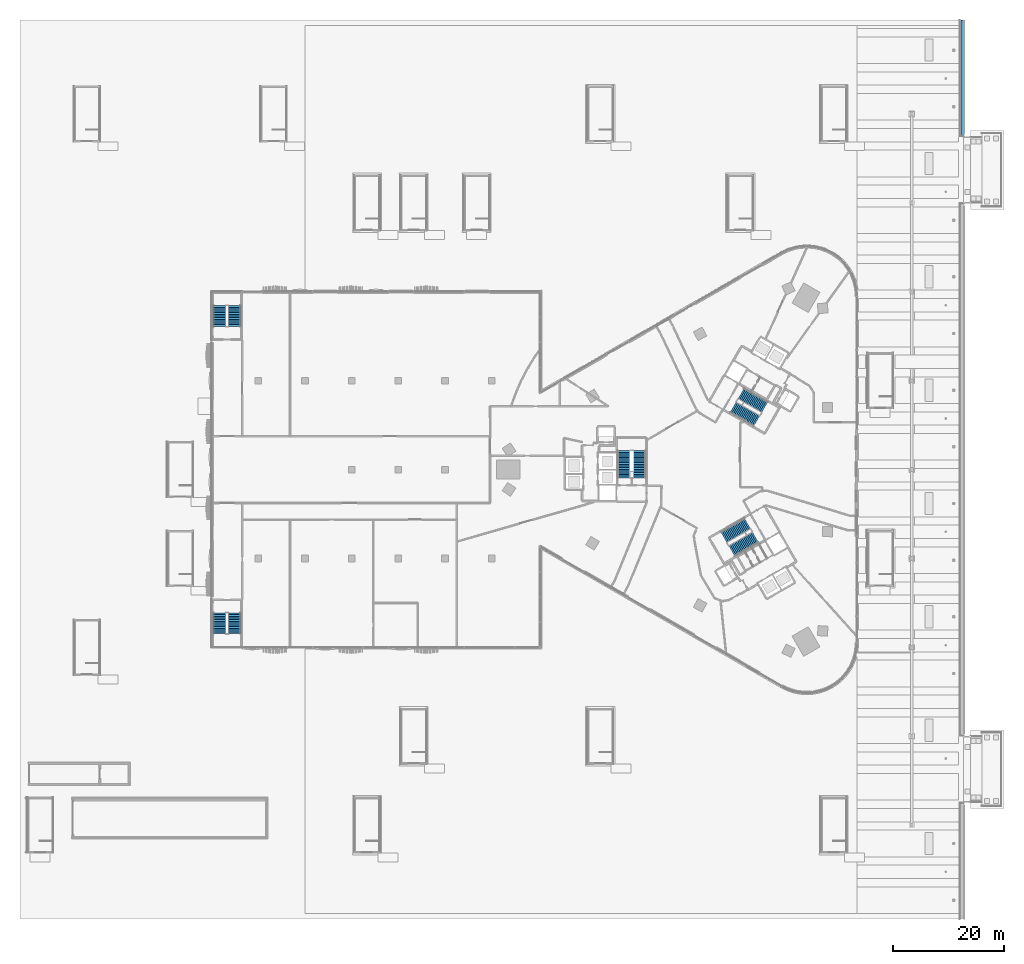
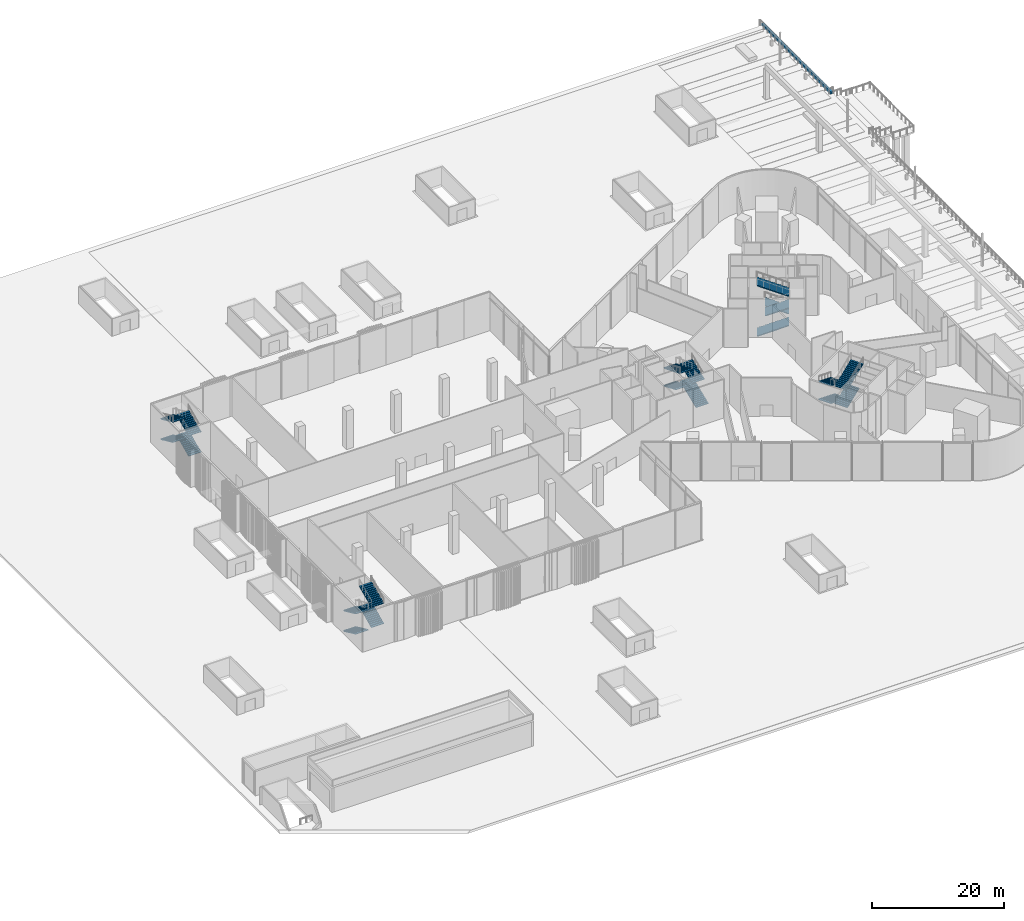
# One storey, part 26 of 41: 20 stair flights, 1 wall, 5 elements without a shape of their own.
"""IFC4 building model written with IfcOpenShell, lengths in metres."""

from ifc_helpers import new_model, si_unit, direction, frame, frame_2d, origin, place, context, subcontext, project, spatial, polyline, rectangle, outline, extrude, material, layer, layer_set, type_object, element, aggregate, save


model = new_model("IFC4")

# Units and contexts
model_context = context("Model", 3, precision=1e-05, world=origin(), true_north=direction((0.0, 1.0)))
body_context = subcontext(model_context, "Body", "Model", "MODEL_VIEW")
ifc_project = project(units=[si_unit("LENGTHUNIT", "METRE"), si_unit("AREAUNIT", "SQUARE_METRE"), si_unit("VOLUMEUNIT", "CUBIC_METRE"), si_unit("PLANEANGLEUNIT", "RADIAN"), si_unit("MASSUNIT", "GRAM", prefix="KILO")], contexts=[model_context])

# Site, building, storey
site_placement = place(None, origin())
site = spatial("IfcSite", under=ifc_project, at=site_placement, CompositionType="ELEMENT")
building_placement = place(site_placement, origin())
building = spatial("IfcBuilding", under=site, at=building_placement, Name="Tamra Quay Hotel Tower", CompositionType="ELEMENT")
storey_placement = place(building_placement, origin())
storey = spatial("IfcBuildingStorey", under=building, at=storey_placement, Name="L00", CompositionType="ELEMENT", Elevation=0.0)

# Wall
ifc_material_1 = material(Name="Concrete M40", Category="concrete")
ifc_layer = layer(ifc_material_1, 0.39990234375)
ifc_layer_set = layer_set([ifc_layer], Name="QUAY KERB 400")
wall_type = type_object("IfcWallType", Name="QUAY KERB 400", PredefinedType="STANDARD", material=ifc_layer_set)
wall_placement = place(storey_placement, frame((46.0, 59.93310546875, 0.0), z_axis=(0.0, 0.0, 1.0), x_axis=(0.0, 1.0, 0.0)))
element("IfcWall", 1, at=wall_placement, inside=storey, type_object=wall_type, Name="QK1", PredefinedType="STANDARD", context=body_context, shape_type="SweptSolid", body=[
    extrude(rectangle(XDim=20.966796875, YDim=0.39990234375, at=frame_2d((10.4833984375, 0.0))), origin(), (0.0, 0.0, 1.0), 0.39990234375),
])

# Stair, stair flights
ifc_material_2 = material(Name="Exit stair 2200 52 risers 144.2 going 313")
stair_type_1 = type_object("IfcStairType", Name="Exit stair 2200 52 risers 144.2 going 313", PredefinedType="HALF_TURN_STAIR", material=ifc_material_2)
stair_1_placement = place(storey_placement, origin())
stair_1 = element("IfcStair", 2, at=stair_1_placement, inside=storey, type_object=stair_type_1, Name="L00 Exit stair PS1", PredefinedType="HALF_TURN_STAIR")
ifc_material_3 = material(Name="Exit stair flight 2200 13 risers 144.2")
stair_flight_type_1 = type_object("IfcStairFlightType", Name="Exit stair flight 2200 13 risers 144.2", PredefinedType="STRAIGHT", material=ifc_material_3)
stair_flight_1_placement = place(storey_placement, frame((-84.969970703125, 25.77001953125, 0.0), z_axis=(0.0, 0.0, 1.0), x_axis=(0.0, 1.0, 0.0)))
stair_flight_1 = element("IfcStairFlight", 3, at=stair_flight_1_placement, type_object=stair_flight_type_1, Name="PS1 flight 1", NumberOfRisers=13, NumberOfTreads=12, PredefinedType="STRAIGHT", RiserHeight=0.144230769, TreadLength=0.313, context=body_context, shape_type="SweptSolid", body=[
    extrude(outline(polyline([(0.0, 0.0), (0.0, 0.144287109375), (0.31298828125, 0.144287109375), (0.31298828125, 0.28857421875), (0.6259765625, 0.28857421875), (0.6259765625, 0.4326171875), (0.93896484375, 0.4326171875), (0.93896484375, 0.576904296875), (1.251953125, 0.576904296875), (1.251953125, 0.72119140625), (1.56494140625, 0.72119140625), (1.56494140625, 0.865478515625), (1.8779296875, 0.865478515625), (1.8779296875, 1.009521484375), (2.19091796875, 1.009521484375), (2.19091796875, 1.15380859375), (2.50390625, 1.15380859375), (2.50390625, 1.298095703125), (2.81689453125, 1.298095703125), (2.81689453125, 1.4423828125), (3.1298828125, 1.4423828125), (3.1298828125, 1.58642578125), (3.443115234375, 1.58642578125), (3.443115234375, 1.730712890625), (3.756103515625, 1.730712890625), (3.756103515625, 1.875), (3.756103515625, 1.62060546875), (0.2392578125, 0.0), (0.0, 0.0)])), frame((0.0, 1.10009765625, 0.0), z_axis=(0.0, -1.0, 0.0), x_axis=(1.0, 0.0, 0.0)), (0.0, 0.0, 1.0), 2.199951171875),
])
stair_flight_2_placement = place(storey_placement, frame((-87.72998046875, 29.52587890625, 1.875), z_axis=(0.0, 0.0, 1.0), x_axis=(0.0, -1.0, 0.0)))
stair_flight_2 = element("IfcStairFlight", 4, at=stair_flight_2_placement, type_object=stair_flight_type_1, Name="PS1 flight 2", NumberOfRisers=13, NumberOfTreads=12, PredefinedType="STRAIGHT", RiserHeight=0.144230769, TreadLength=0.313, context=body_context, shape_type="SweptSolid", body=[
    extrude(outline(polyline([(0.0, 0.0), (0.0, 0.144287109375), (0.31298828125, 0.144287109375), (0.31298828125, 0.28857421875), (0.6259765625, 0.28857421875), (0.6259765625, 0.4326171875), (0.93896484375, 0.4326171875), (0.93896484375, 0.576904296875), (1.251953125, 0.576904296875), (1.251953125, 0.72119140625), (1.56494140625, 0.72119140625), (1.56494140625, 0.865478515625), (1.8779296875, 0.865478515625), (1.8779296875, 1.009521484375), (2.19091796875, 1.009521484375), (2.19091796875, 1.15380859375), (2.50390625, 1.15380859375), (2.50390625, 1.298095703125), (2.81689453125, 1.298095703125), (2.81689453125, 1.4423828125), (3.1298828125, 1.4423828125), (3.1298828125, 1.58642578125), (3.443115234375, 1.58642578125), (3.443115234375, 1.730712890625), (3.756103515625, 1.730712890625), (3.756103515625, 1.875), (3.756103515625, 1.62060546875), (0.2392578125, 0.0), (0.0, 0.0)])), frame((0.0, 1.10009765625, 0.0), z_axis=(0.0, -1.0, 0.0), x_axis=(1.0, 0.0, 0.0)), (0.0, 0.0, 1.0), 2.199951171875),
])
stair_flight_3_placement = place(storey_placement, frame((-84.969970703125, 25.77001953125, 3.75), z_axis=(0.0, 0.0, 1.0), x_axis=(0.0, 1.0, 0.0)))
stair_flight_3 = element("IfcStairFlight", 5, at=stair_flight_3_placement, type_object=stair_flight_type_1, Name="PS1 flight 3", NumberOfRisers=13, NumberOfTreads=12, PredefinedType="STRAIGHT", RiserHeight=0.144230769, TreadLength=0.313, context=body_context, shape_type="SweptSolid", body=[
    extrude(outline(polyline([(0.0, 0.0), (0.0, 0.144287109375), (0.31298828125, 0.144287109375), (0.31298828125, 0.28857421875), (0.6259765625, 0.28857421875), (0.6259765625, 0.4326171875), (0.93896484375, 0.4326171875), (0.93896484375, 0.576904296875), (1.251953125, 0.576904296875), (1.251953125, 0.72119140625), (1.56494140625, 0.72119140625), (1.56494140625, 0.865478515625), (1.8779296875, 0.865478515625), (1.8779296875, 1.009521484375), (2.19091796875, 1.009521484375), (2.19091796875, 1.15380859375), (2.50390625, 1.15380859375), (2.50390625, 1.298095703125), (2.81689453125, 1.298095703125), (2.81689453125, 1.4423828125), (3.1298828125, 1.4423828125), (3.1298828125, 1.58642578125), (3.443115234375, 1.58642578125), (3.443115234375, 1.730712890625), (3.756103515625, 1.730712890625), (3.756103515625, 1.875), (3.756103515625, 1.62060546875), (0.2392578125, 0.0), (0.0, 0.0)])), frame((0.0, 1.10009765625, 0.0), z_axis=(0.0, -1.0, 0.0), x_axis=(1.0, 0.0, 0.0)), (0.0, 0.0, 1.0), 2.199951171875),
])
stair_flight_4_placement = place(storey_placement, frame((-87.72998046875, 29.52587890625, 5.625), z_axis=(0.0, 0.0, 1.0), x_axis=(0.0, -1.0, 0.0)))
stair_flight_4 = element("IfcStairFlight", 6, at=stair_flight_4_placement, type_object=stair_flight_type_1, Name="PS1 flight 4", NumberOfRisers=13, NumberOfTreads=12, PredefinedType="STRAIGHT", RiserHeight=0.144230769, TreadLength=0.313, context=body_context, shape_type="SweptSolid", body=[
    extrude(outline(polyline([(0.0, 0.0), (0.0, 0.144287109375), (0.31298828125, 0.144287109375), (0.31298828125, 0.28857421875), (0.6259765625, 0.28857421875), (0.6259765625, 0.4326171875), (0.93896484375, 0.4326171875), (0.93896484375, 0.576904296875), (1.251953125, 0.576904296875), (1.251953125, 0.72119140625), (1.56494140625, 0.72119140625), (1.56494140625, 0.865478515625), (1.8779296875, 0.865478515625), (1.8779296875, 1.009521484375), (2.19091796875, 1.009521484375), (2.19091796875, 1.15380859375), (2.50390625, 1.15380859375), (2.50390625, 1.298095703125), (2.81689453125, 1.298095703125), (2.81689453125, 1.4423828125), (3.1298828125, 1.4423828125), (3.1298828125, 1.58642578125), (3.443115234375, 1.58642578125), (3.443115234375, 1.730712890625), (3.756103515625, 1.730712890625), (3.756103515625, 1.875), (3.756103515625, 1.62060546875), (0.2392578125, 0.0), (0.0, 0.0)])), frame((0.0, 1.10009765625, 0.0), z_axis=(0.0, -1.0, 0.0), x_axis=(1.0, 0.0, 0.0)), (0.0, 0.0, 1.0), 2.199951171875),
])
aggregate(stair_1, [stair_flight_1, stair_flight_2, stair_flight_3, stair_flight_4])

stair_2_placement = place(storey_placement, origin())
stair_2 = element("IfcStair", 7, at=stair_2_placement, inside=storey, type_object=stair_type_1, Name="L00 Exit stair PS2", PredefinedType="HALF_TURN_STAIR")
stair_flight_5_placement = place(storey_placement, frame((-87.72998046875, -25.77001953125, 0.0), z_axis=(0.0, 0.0, 1.0), x_axis=(0.0, -1.0, 0.0)))
stair_flight_5 = element("IfcStairFlight", 8, at=stair_flight_5_placement, type_object=stair_flight_type_1, Name="PS2 flight 1", NumberOfRisers=13, NumberOfTreads=12, PredefinedType="STRAIGHT", RiserHeight=0.144230769, TreadLength=0.313, context=body_context, shape_type="SweptSolid", body=[
    extrude(outline(polyline([(0.0, 0.0), (0.0, 0.144287109375), (0.31298828125, 0.144287109375), (0.31298828125, 0.28857421875), (0.6259765625, 0.28857421875), (0.6259765625, 0.4326171875), (0.93896484375, 0.4326171875), (0.93896484375, 0.576904296875), (1.251953125, 0.576904296875), (1.251953125, 0.72119140625), (1.56494140625, 0.72119140625), (1.56494140625, 0.865478515625), (1.8779296875, 0.865478515625), (1.8779296875, 1.009521484375), (2.19091796875, 1.009521484375), (2.19091796875, 1.15380859375), (2.50390625, 1.15380859375), (2.50390625, 1.298095703125), (2.81689453125, 1.298095703125), (2.81689453125, 1.4423828125), (3.1298828125, 1.4423828125), (3.1298828125, 1.58642578125), (3.443115234375, 1.58642578125), (3.443115234375, 1.730712890625), (3.756103515625, 1.730712890625), (3.756103515625, 1.875), (3.756103515625, 1.62060546875), (0.2392578125, 0.0), (0.0, 0.0)])), frame((0.0, 1.10009765625, 0.0), z_axis=(0.0, -1.0, 0.0), x_axis=(1.0, 0.0, 0.0)), (0.0, 0.0, 1.0), 2.199951171875),
])
stair_flight_6_placement = place(storey_placement, frame((-84.969970703125, -29.52587890625, 1.875), z_axis=(0.0, 0.0, 1.0), x_axis=(0.0, 1.0, 0.0)))
stair_flight_6 = element("IfcStairFlight", 9, at=stair_flight_6_placement, type_object=stair_flight_type_1, Name="PS2 flight 2", NumberOfRisers=13, NumberOfTreads=12, PredefinedType="STRAIGHT", RiserHeight=0.144230769, TreadLength=0.313, context=body_context, shape_type="SweptSolid", body=[
    extrude(outline(polyline([(0.0, 0.0), (0.0, 0.144287109375), (0.31298828125, 0.144287109375), (0.31298828125, 0.28857421875), (0.6259765625, 0.28857421875), (0.6259765625, 0.4326171875), (0.93896484375, 0.4326171875), (0.93896484375, 0.576904296875), (1.251953125, 0.576904296875), (1.251953125, 0.72119140625), (1.56494140625, 0.72119140625), (1.56494140625, 0.865478515625), (1.8779296875, 0.865478515625), (1.8779296875, 1.009521484375), (2.19091796875, 1.009521484375), (2.19091796875, 1.15380859375), (2.50390625, 1.15380859375), (2.50390625, 1.298095703125), (2.81689453125, 1.298095703125), (2.81689453125, 1.4423828125), (3.1298828125, 1.4423828125), (3.1298828125, 1.58642578125), (3.443115234375, 1.58642578125), (3.443115234375, 1.730712890625), (3.756103515625, 1.730712890625), (3.756103515625, 1.875), (3.756103515625, 1.62060546875), (0.2392578125, 0.0), (0.0, 0.0)])), frame((0.0, 1.10009765625, 0.0), z_axis=(0.0, -1.0, 0.0), x_axis=(1.0, 0.0, 0.0)), (0.0, 0.0, 1.0), 2.199951171875),
])
stair_flight_7_placement = place(storey_placement, frame((-87.72998046875, -25.77001953125, 3.75), z_axis=(0.0, 0.0, 1.0), x_axis=(0.0, -1.0, 0.0)))
stair_flight_7 = element("IfcStairFlight", 10, at=stair_flight_7_placement, type_object=stair_flight_type_1, Name="PS2 flight 3", NumberOfRisers=13, NumberOfTreads=12, PredefinedType="STRAIGHT", RiserHeight=0.144230769, TreadLength=0.313, context=body_context, shape_type="SweptSolid", body=[
    extrude(outline(polyline([(0.0, 0.0), (0.0, 0.144287109375), (0.31298828125, 0.144287109375), (0.31298828125, 0.28857421875), (0.6259765625, 0.28857421875), (0.6259765625, 0.4326171875), (0.93896484375, 0.4326171875), (0.93896484375, 0.576904296875), (1.251953125, 0.576904296875), (1.251953125, 0.72119140625), (1.56494140625, 0.72119140625), (1.56494140625, 0.865478515625), (1.8779296875, 0.865478515625), (1.8779296875, 1.009521484375), (2.19091796875, 1.009521484375), (2.19091796875, 1.15380859375), (2.50390625, 1.15380859375), (2.50390625, 1.298095703125), (2.81689453125, 1.298095703125), (2.81689453125, 1.4423828125), (3.1298828125, 1.4423828125), (3.1298828125, 1.58642578125), (3.443115234375, 1.58642578125), (3.443115234375, 1.730712890625), (3.756103515625, 1.730712890625), (3.756103515625, 1.875), (3.756103515625, 1.62060546875), (0.2392578125, 0.0), (0.0, 0.0)])), frame((0.0, 1.10009765625, 0.0), z_axis=(0.0, -1.0, 0.0), x_axis=(1.0, 0.0, 0.0)), (0.0, 0.0, 1.0), 2.199951171875),
])
stair_flight_8_placement = place(storey_placement, frame((-84.969970703125, -29.52587890625, 5.625), z_axis=(0.0, 0.0, 1.0), x_axis=(0.0, 1.0, 0.0)))
stair_flight_8 = element("IfcStairFlight", 11, at=stair_flight_8_placement, type_object=stair_flight_type_1, Name="PS2 flight 4", NumberOfRisers=13, NumberOfTreads=12, PredefinedType="STRAIGHT", RiserHeight=0.144230769, TreadLength=0.313, context=body_context, shape_type="SweptSolid", body=[
    extrude(outline(polyline([(0.0, 0.0), (0.0, 0.144287109375), (0.31298828125, 0.144287109375), (0.31298828125, 0.28857421875), (0.6259765625, 0.28857421875), (0.6259765625, 0.4326171875), (0.93896484375, 0.4326171875), (0.93896484375, 0.576904296875), (1.251953125, 0.576904296875), (1.251953125, 0.72119140625), (1.56494140625, 0.72119140625), (1.56494140625, 0.865478515625), (1.8779296875, 0.865478515625), (1.8779296875, 1.009521484375), (2.19091796875, 1.009521484375), (2.19091796875, 1.15380859375), (2.50390625, 1.15380859375), (2.50390625, 1.298095703125), (2.81689453125, 1.298095703125), (2.81689453125, 1.4423828125), (3.1298828125, 1.4423828125), (3.1298828125, 1.58642578125), (3.443115234375, 1.58642578125), (3.443115234375, 1.730712890625), (3.756103515625, 1.730712890625), (3.756103515625, 1.875), (3.756103515625, 1.62060546875), (0.2392578125, 0.0), (0.0, 0.0)])), frame((0.0, 1.10009765625, 0.0), z_axis=(0.0, -1.0, 0.0), x_axis=(1.0, 0.0, 0.0)), (0.0, 0.0, 1.0), 2.199951171875),
])
aggregate(stair_2, [stair_flight_5, stair_flight_6, stair_flight_7, stair_flight_8])

ifc_material_4 = material(Name="Exit stair 2200 60 risers 125.0 going 305")
stair_type_2 = type_object("IfcStairType", Name="Exit stair 2200 60 risers 125.0 going 305", PredefinedType="HALF_TURN_STAIR", material=ifc_material_4)
stair_3_placement = place(storey_placement, origin())
stair_3 = element("IfcStair", 12, at=stair_3_placement, inside=storey, type_object=stair_type_2, Name="L00 Exit stair ST3", PredefinedType="HALF_TURN_STAIR")
ifc_material_5 = material(Name="Exit stair flight 2200 17 risers 125.0")
stair_flight_type_2 = type_object("IfcStairFlightType", Name="Exit stair flight 2200 17 risers 125.0", PredefinedType="STRAIGHT", material=ifc_material_5)
stair_flight_9_placement = place(storey_placement, frame((-12.082275390625, -1.47998046875, 0.0), z_axis=(0.0, 0.0, 1.0), x_axis=(0.0, 1.0, 0.0)))
stair_flight_9 = element("IfcStairFlight", 13, at=stair_flight_9_placement, type_object=stair_flight_type_2, Name="ST3 flight 1", NumberOfRisers=17, NumberOfTreads=16, PredefinedType="STRAIGHT", RiserHeight=0.125, TreadLength=0.305, context=body_context, shape_type="SweptSolid", body=[
    extrude(outline(polyline([(0.0, 0.0), (0.0, 0.125), (0.304931640625, 0.125), (0.304931640625, 0.25), (0.610107421875, 0.25), (0.610107421875, 0.375), (0.9150390625, 0.375), (0.9150390625, 0.5), (1.219970703125, 0.5), (1.219970703125, 0.625), (1.52490234375, 0.625), (1.52490234375, 0.75), (1.830078125, 0.75), (1.830078125, 0.875), (2.135009765625, 0.875), (2.135009765625, 1.0), (2.43994140625, 1.0), (2.43994140625, 1.125), (2.7451171875, 1.125), (2.7451171875, 1.25), (3.050048828125, 1.25), (3.050048828125, 1.375), (3.35498046875, 1.375), (3.35498046875, 1.5), (3.659912109375, 1.5), (3.659912109375, 1.625), (3.965087890625, 1.625), (3.965087890625, 1.75), (4.27001953125, 1.75), (4.27001953125, 1.875), (4.574951171875, 1.875), (4.574951171875, 2.0), (4.8798828125, 2.0), (4.8798828125, 2.125), (4.8798828125, 1.891845703125), (0.263916015625, 0.0), (0.0, 0.0)])), frame((0.0, 1.10009765625, 0.0), z_axis=(0.0, -1.0, 0.0), x_axis=(1.0, 0.0, 0.0)), (0.0, 0.0, 1.0), 2.199951171875),
])
stair_flight_10_placement = place(storey_placement, frame((-14.94140625, 3.39990234375, 2.125), z_axis=(0.0, 0.0, 1.0), x_axis=(0.0, -1.0, 0.0)))
stair_flight_10 = element("IfcStairFlight", 14, at=stair_flight_10_placement, type_object=stair_flight_type_2, Name="ST3 flight 2", NumberOfRisers=13, NumberOfTreads=12, PredefinedType="STRAIGHT", RiserHeight=0.125, TreadLength=0.305, context=body_context, shape_type="SweptSolid", body=[
    extrude(outline(polyline([(0.0, 0.0), (0.0, 0.125), (0.304931640625, 0.125), (0.304931640625, 0.25), (0.610107421875, 0.25), (0.610107421875, 0.375), (0.9150390625, 0.375), (0.9150390625, 0.5), (1.219970703125, 0.5), (1.219970703125, 0.625), (1.52490234375, 0.625), (1.52490234375, 0.75), (1.830078125, 0.75), (1.830078125, 0.875), (2.135009765625, 0.875), (2.135009765625, 1.0), (2.43994140625, 1.0), (2.43994140625, 1.125), (2.7451171875, 1.125), (2.7451171875, 1.25), (3.050048828125, 1.25), (3.050048828125, 1.375), (3.35498046875, 1.375), (3.35498046875, 1.5), (3.659912109375, 1.5), (3.659912109375, 1.625), (3.659912109375, 1.391845703125), (0.263916015625, 0.0), (0.0, 0.0)])), frame((0.0, 1.10009765625, 0.0), z_axis=(0.0, -1.0, 0.0), x_axis=(1.0, 0.0, 0.0)), (0.0, 0.0, 1.0), 2.199951171875),
])
stair_flight_11_placement = place(storey_placement, frame((-12.082275390625, -0.260009765625, 3.75), z_axis=(0.0, 0.0, 1.0), x_axis=(0.0, 1.0, 0.0)))
stair_flight_11 = element("IfcStairFlight", 15, at=stair_flight_11_placement, type_object=stair_flight_type_2, Name="ST3 flight 3", NumberOfRisers=13, NumberOfTreads=12, PredefinedType="STRAIGHT", RiserHeight=0.125, TreadLength=0.305, context=body_context, shape_type="SweptSolid", body=[
    extrude(outline(polyline([(0.0, 0.0), (0.0, 0.125), (0.304931640625, 0.125), (0.304931640625, 0.25), (0.610107421875, 0.25), (0.610107421875, 0.375), (0.9150390625, 0.375), (0.9150390625, 0.5), (1.219970703125, 0.5), (1.219970703125, 0.625), (1.52490234375, 0.625), (1.52490234375, 0.75), (1.830078125, 0.75), (1.830078125, 0.875), (2.135009765625, 0.875), (2.135009765625, 1.0), (2.43994140625, 1.0), (2.43994140625, 1.125), (2.7451171875, 1.125), (2.7451171875, 1.25), (3.050048828125, 1.25), (3.050048828125, 1.375), (3.35498046875, 1.375), (3.35498046875, 1.5), (3.659912109375, 1.5), (3.659912109375, 1.625), (3.659912109375, 1.391845703125), (0.263916015625, 0.0), (0.0, 0.0)])), frame((0.0, 1.10009765625, 0.0), z_axis=(0.0, -1.0, 0.0), x_axis=(1.0, 0.0, 0.0)), (0.0, 0.0, 1.0), 2.199951171875),
])
stair_flight_12_placement = place(storey_placement, frame((-14.94140625, 3.39990234375, 5.375), z_axis=(0.0, 0.0, 1.0), x_axis=(0.0, -1.0, 0.0)))
stair_flight_12 = element("IfcStairFlight", 16, at=stair_flight_12_placement, type_object=stair_flight_type_2, Name="ST3 flight 4", NumberOfRisers=17, NumberOfTreads=16, PredefinedType="STRAIGHT", RiserHeight=0.125, TreadLength=0.305, context=body_context, shape_type="SweptSolid", body=[
    extrude(outline(polyline([(0.0, 0.0), (0.0, 0.125), (0.304931640625, 0.125), (0.304931640625, 0.25), (0.610107421875, 0.25), (0.610107421875, 0.375), (0.9150390625, 0.375), (0.9150390625, 0.5), (1.219970703125, 0.5), (1.219970703125, 0.625), (1.52490234375, 0.625), (1.52490234375, 0.75), (1.830078125, 0.75), (1.830078125, 0.875), (2.135009765625, 0.875), (2.135009765625, 1.0), (2.43994140625, 1.0), (2.43994140625, 1.125), (2.7451171875, 1.125), (2.7451171875, 1.25), (3.050048828125, 1.25), (3.050048828125, 1.375), (3.35498046875, 1.375), (3.35498046875, 1.5), (3.659912109375, 1.5), (3.659912109375, 1.625), (3.965087890625, 1.625), (3.965087890625, 1.75), (4.27001953125, 1.75), (4.27001953125, 1.875), (4.574951171875, 1.875), (4.574951171875, 2.0), (4.8798828125, 2.0), (4.8798828125, 2.125), (4.8798828125, 1.891845703125), (0.263916015625, 0.0), (0.0, 0.0)])), frame((0.0, 1.10009765625, 0.0), z_axis=(0.0, -1.0, 0.0), x_axis=(1.0, 0.0, 0.0)), (0.0, 0.0, 1.0), 2.199951171875),
])
aggregate(stair_3, [stair_flight_9, stair_flight_10, stair_flight_11, stair_flight_12])

stair_4_placement = place(storey_placement, origin())
stair_4 = element("IfcStair", 17, at=stair_4_placement, inside=storey, type_object=stair_type_2, Name="L00 Exit stair ST1", PredefinedType="HALF_TURN_STAIR")
stair_flight_13_placement = place(storey_placement, frame((4.75927734375, 11.20361328125, 0.0), z_axis=(0.0, 0.0, 1.0), x_axis=(0.866025403784, -0.5, 0.0)))
stair_flight_13 = element("IfcStairFlight", 18, at=stair_flight_13_placement, type_object=stair_flight_type_2, Name="ST1 flight 1", NumberOfRisers=17, NumberOfTreads=16, PredefinedType="STRAIGHT", RiserHeight=0.125, TreadLength=0.305, context=body_context, shape_type="SweptSolid", body=[
    extrude(outline(polyline([(0.0, 0.0), (0.0, 0.125), (0.304931640625, 0.125), (0.304931640625, 0.25), (0.610107421875, 0.25), (0.610107421875, 0.375), (0.9150390625, 0.375), (0.9150390625, 0.5), (1.219970703125, 0.5), (1.219970703125, 0.625), (1.52490234375, 0.625), (1.52490234375, 0.75), (1.830078125, 0.75), (1.830078125, 0.875), (2.135009765625, 0.875), (2.135009765625, 1.0), (2.43994140625, 1.0), (2.43994140625, 1.125), (2.7451171875, 1.125), (2.7451171875, 1.25), (3.050048828125, 1.25), (3.050048828125, 1.375), (3.35498046875, 1.375), (3.35498046875, 1.5), (3.659912109375, 1.5), (3.659912109375, 1.625), (3.965087890625, 1.625), (3.965087890625, 1.75), (4.27001953125, 1.75), (4.27001953125, 1.875), (4.574951171875, 1.875), (4.574951171875, 2.0), (4.8798828125, 2.0), (4.8798828125, 2.125), (4.8798828125, 1.891845703125), (0.263916015625, 0.0), (0.0, 0.0)])), frame((0.0, 1.10009765625, 0.0), z_axis=(0.0, -1.0, 0.0), x_axis=(1.0, 0.0, 0.0)), (0.0, 0.0, 1.0), 2.199951171875),
])
stair_flight_14_placement = place(storey_placement, frame((10.4150390625, 11.239501953125, 2.125), z_axis=(0.0, 0.0, 1.0), x_axis=(-0.866025403784, 0.5, 0.0)))
stair_flight_14 = element("IfcStairFlight", 19, at=stair_flight_14_placement, type_object=stair_flight_type_2, Name="ST1 flight 2", NumberOfRisers=13, NumberOfTreads=12, PredefinedType="STRAIGHT", RiserHeight=0.125, TreadLength=0.305, context=body_context, shape_type="SweptSolid", body=[
    extrude(outline(polyline([(0.0, 0.0), (0.0, 0.125), (0.304931640625, 0.125), (0.304931640625, 0.25), (0.610107421875, 0.25), (0.610107421875, 0.375), (0.9150390625, 0.375), (0.9150390625, 0.5), (1.219970703125, 0.5), (1.219970703125, 0.625), (1.52490234375, 0.625), (1.52490234375, 0.75), (1.830078125, 0.75), (1.830078125, 0.875), (2.135009765625, 0.875), (2.135009765625, 1.0), (2.43994140625, 1.0), (2.43994140625, 1.125), (2.7451171875, 1.125), (2.7451171875, 1.25), (3.050048828125, 1.25), (3.050048828125, 1.375), (3.35498046875, 1.375), (3.35498046875, 1.5), (3.659912109375, 1.5), (3.659912109375, 1.625), (3.659912109375, 1.391845703125), (0.263916015625, 0.0), (0.0, 0.0)])), frame((0.0, 1.10009765625, 0.0), z_axis=(0.0, -1.0, 0.0), x_axis=(1.0, 0.0, 0.0)), (0.0, 0.0, 1.0), 2.199951171875),
])
stair_flight_15_placement = place(storey_placement, frame((5.81591796875, 10.593505859375, 3.75), z_axis=(0.0, 0.0, 1.0), x_axis=(0.866025403784, -0.5, 0.0)))
stair_flight_15 = element("IfcStairFlight", 20, at=stair_flight_15_placement, type_object=stair_flight_type_2, Name="ST1 flight 3", NumberOfRisers=13, NumberOfTreads=12, PredefinedType="STRAIGHT", RiserHeight=0.125, TreadLength=0.305, context=body_context, shape_type="SweptSolid", body=[
    extrude(outline(polyline([(0.0, 0.0), (0.0, 0.125), (0.304931640625, 0.125), (0.304931640625, 0.25), (0.610107421875, 0.25), (0.610107421875, 0.375), (0.9150390625, 0.375), (0.9150390625, 0.5), (1.219970703125, 0.5), (1.219970703125, 0.625), (1.52490234375, 0.625), (1.52490234375, 0.75), (1.830078125, 0.75), (1.830078125, 0.875), (2.135009765625, 0.875), (2.135009765625, 1.0), (2.43994140625, 1.0), (2.43994140625, 1.125), (2.7451171875, 1.125), (2.7451171875, 1.25), (3.050048828125, 1.25), (3.050048828125, 1.375), (3.35498046875, 1.375), (3.35498046875, 1.5), (3.659912109375, 1.5), (3.659912109375, 1.625), (3.659912109375, 1.391845703125), (0.263916015625, 0.0), (0.0, 0.0)])), frame((0.0, 1.10009765625, 0.0), z_axis=(0.0, -1.0, 0.0), x_axis=(1.0, 0.0, 0.0)), (0.0, 0.0, 1.0), 2.199951171875),
])
stair_flight_16_placement = place(storey_placement, frame((10.4150390625, 11.239501953125, 5.375), z_axis=(0.0, 0.0, 1.0), x_axis=(-0.866025403784, 0.5, 0.0)))
stair_flight_16 = element("IfcStairFlight", 21, at=stair_flight_16_placement, type_object=stair_flight_type_2, Name="ST1 flight 4", NumberOfRisers=17, NumberOfTreads=16, PredefinedType="STRAIGHT", RiserHeight=0.125, TreadLength=0.305, context=body_context, shape_type="SweptSolid", body=[
    extrude(outline(polyline([(0.0, 0.0), (0.0, 0.125), (0.304931640625, 0.125), (0.304931640625, 0.25), (0.610107421875, 0.25), (0.610107421875, 0.375), (0.9150390625, 0.375), (0.9150390625, 0.5), (1.219970703125, 0.5), (1.219970703125, 0.625), (1.52490234375, 0.625), (1.52490234375, 0.75), (1.830078125, 0.75), (1.830078125, 0.875), (2.135009765625, 0.875), (2.135009765625, 1.0), (2.43994140625, 1.0), (2.43994140625, 1.125), (2.7451171875, 1.125), (2.7451171875, 1.25), (3.050048828125, 1.25), (3.050048828125, 1.375), (3.35498046875, 1.375), (3.35498046875, 1.5), (3.659912109375, 1.5), (3.659912109375, 1.625), (3.965087890625, 1.625), (3.965087890625, 1.75), (4.27001953125, 1.75), (4.27001953125, 1.875), (4.574951171875, 1.875), (4.574951171875, 2.0), (4.8798828125, 2.0), (4.8798828125, 2.125), (4.8798828125, 1.891845703125), (0.263916015625, 0.0), (0.0, 0.0)])), frame((0.0, 1.10009765625, 0.0), z_axis=(0.0, -1.0, 0.0), x_axis=(1.0, 0.0, 0.0)), (0.0, 0.0, 1.0), 2.199951171875),
])
aggregate(stair_4, [stair_flight_13, stair_flight_14, stair_flight_15, stair_flight_16])

stair_5_placement = place(storey_placement, origin())
stair_5 = element("IfcStair", 22, at=stair_5_placement, inside=storey, type_object=stair_type_2, Name="L00 Exit stair ST2", PredefinedType="HALF_TURN_STAIR")
stair_flight_17_placement = place(storey_placement, frame((7.322998046875, -9.7236328125, 0.0), z_axis=(0.0, 0.0, 1.0), x_axis=(-0.866025403784, -0.5, 0.0)))
stair_flight_17 = element("IfcStairFlight", 23, at=stair_flight_17_placement, type_object=stair_flight_type_2, Name="ST2 flight 1", NumberOfRisers=17, NumberOfTreads=16, PredefinedType="STRAIGHT", RiserHeight=0.125, TreadLength=0.305, context=body_context, shape_type="SweptSolid", body=[
    extrude(outline(polyline([(0.0, 0.0), (0.0, 0.125), (0.304931640625, 0.125), (0.304931640625, 0.25), (0.610107421875, 0.25), (0.610107421875, 0.375), (0.9150390625, 0.375), (0.9150390625, 0.5), (1.219970703125, 0.5), (1.219970703125, 0.625), (1.52490234375, 0.625), (1.52490234375, 0.75), (1.830078125, 0.75), (1.830078125, 0.875), (2.135009765625, 0.875), (2.135009765625, 1.0), (2.43994140625, 1.0), (2.43994140625, 1.125), (2.7451171875, 1.125), (2.7451171875, 1.25), (3.050048828125, 1.25), (3.050048828125, 1.375), (3.35498046875, 1.375), (3.35498046875, 1.5), (3.659912109375, 1.5), (3.659912109375, 1.625), (3.965087890625, 1.625), (3.965087890625, 1.75), (4.27001953125, 1.75), (4.27001953125, 1.875), (4.574951171875, 1.875), (4.574951171875, 2.0), (4.8798828125, 2.0), (4.8798828125, 2.125), (4.8798828125, 1.891845703125), (0.263916015625, 0.0), (0.0, 0.0)])), frame((0.0, 1.10009765625, 0.0), z_axis=(0.0, -1.0, 0.0), x_axis=(1.0, 0.0, 0.0)), (0.0, 0.0, 1.0), 2.199951171875),
])
stair_flight_18_placement = place(storey_placement, frame((4.526123046875, -14.639404296875, 2.125), z_axis=(0.0, 0.0, 1.0), x_axis=(0.866025403784, 0.5, 0.0)))
stair_flight_18 = element("IfcStairFlight", 24, at=stair_flight_18_placement, type_object=stair_flight_type_2, Name="ST2 flight 2", NumberOfRisers=13, NumberOfTreads=12, PredefinedType="STRAIGHT", RiserHeight=0.125, TreadLength=0.305, context=body_context, shape_type="SweptSolid", body=[
    extrude(outline(polyline([(0.0, 0.0), (0.0, 0.125), (0.304931640625, 0.125), (0.304931640625, 0.25), (0.610107421875, 0.25), (0.610107421875, 0.375), (0.9150390625, 0.375), (0.9150390625, 0.5), (1.219970703125, 0.5), (1.219970703125, 0.625), (1.52490234375, 0.625), (1.52490234375, 0.75), (1.830078125, 0.75), (1.830078125, 0.875), (2.135009765625, 0.875), (2.135009765625, 1.0), (2.43994140625, 1.0), (2.43994140625, 1.125), (2.7451171875, 1.125), (2.7451171875, 1.25), (3.050048828125, 1.25), (3.050048828125, 1.375), (3.35498046875, 1.375), (3.35498046875, 1.5), (3.659912109375, 1.5), (3.659912109375, 1.625), (3.659912109375, 1.391845703125), (0.263916015625, 0.0), (0.0, 0.0)])), frame((0.0, 1.10009765625, 0.0), z_axis=(0.0, -1.0, 0.0), x_axis=(1.0, 0.0, 0.0)), (0.0, 0.0, 1.0), 2.199951171875),
])
stair_flight_19_placement = place(storey_placement, frame((6.266357421875, -10.33349609375, 3.75), z_axis=(0.0, 0.0, 1.0), x_axis=(-0.866025403784, -0.5, 0.0)))
stair_flight_19 = element("IfcStairFlight", 25, at=stair_flight_19_placement, type_object=stair_flight_type_2, Name="ST2 flight 3", NumberOfRisers=13, NumberOfTreads=12, PredefinedType="STRAIGHT", RiserHeight=0.125, TreadLength=0.305, context=body_context, shape_type="SweptSolid", body=[
    extrude(outline(polyline([(0.0, 0.0), (0.0, 0.125), (0.304931640625, 0.125), (0.304931640625, 0.25), (0.610107421875, 0.25), (0.610107421875, 0.375), (0.9150390625, 0.375), (0.9150390625, 0.5), (1.219970703125, 0.5), (1.219970703125, 0.625), (1.52490234375, 0.625), (1.52490234375, 0.75), (1.830078125, 0.75), (1.830078125, 0.875), (2.135009765625, 0.875), (2.135009765625, 1.0), (2.43994140625, 1.0), (2.43994140625, 1.125), (2.7451171875, 1.125), (2.7451171875, 1.25), (3.050048828125, 1.25), (3.050048828125, 1.375), (3.35498046875, 1.375), (3.35498046875, 1.5), (3.659912109375, 1.5), (3.659912109375, 1.625), (3.659912109375, 1.391845703125), (0.263916015625, 0.0), (0.0, 0.0)])), frame((0.0, 1.10009765625, 0.0), z_axis=(0.0, -1.0, 0.0), x_axis=(1.0, 0.0, 0.0)), (0.0, 0.0, 1.0), 2.199951171875),
])
stair_flight_20_placement = place(storey_placement, frame((4.526123046875, -14.639404296875, 5.375), z_axis=(0.0, 0.0, 1.0), x_axis=(0.866025403784, 0.5, 0.0)))
stair_flight_20 = element("IfcStairFlight", 26, at=stair_flight_20_placement, type_object=stair_flight_type_2, Name="ST2 flight 4", NumberOfRisers=17, NumberOfTreads=16, PredefinedType="STRAIGHT", RiserHeight=0.125, TreadLength=0.305, context=body_context, shape_type="SweptSolid", body=[
    extrude(outline(polyline([(0.0, 0.0), (0.0, 0.125), (0.304931640625, 0.125), (0.304931640625, 0.25), (0.610107421875, 0.25), (0.610107421875, 0.375), (0.9150390625, 0.375), (0.9150390625, 0.5), (1.219970703125, 0.5), (1.219970703125, 0.625), (1.52490234375, 0.625), (1.52490234375, 0.75), (1.830078125, 0.75), (1.830078125, 0.875), (2.135009765625, 0.875), (2.135009765625, 1.0), (2.43994140625, 1.0), (2.43994140625, 1.125), (2.7451171875, 1.125), (2.7451171875, 1.25), (3.050048828125, 1.25), (3.050048828125, 1.375), (3.35498046875, 1.375), (3.35498046875, 1.5), (3.659912109375, 1.5), (3.659912109375, 1.625), (3.965087890625, 1.625), (3.965087890625, 1.75), (4.27001953125, 1.75), (4.27001953125, 1.875), (4.574951171875, 1.875), (4.574951171875, 2.0), (4.8798828125, 2.0), (4.8798828125, 2.125), (4.8798828125, 1.891845703125), (0.263916015625, 0.0), (0.0, 0.0)])), frame((0.0, 1.10009765625, 0.0), z_axis=(0.0, -1.0, 0.0), x_axis=(1.0, 0.0, 0.0)), (0.0, 0.0, 1.0), 2.199951171875),
])
aggregate(stair_5, [stair_flight_17, stair_flight_18, stair_flight_19, stair_flight_20])

save(model, "model.ifc")
